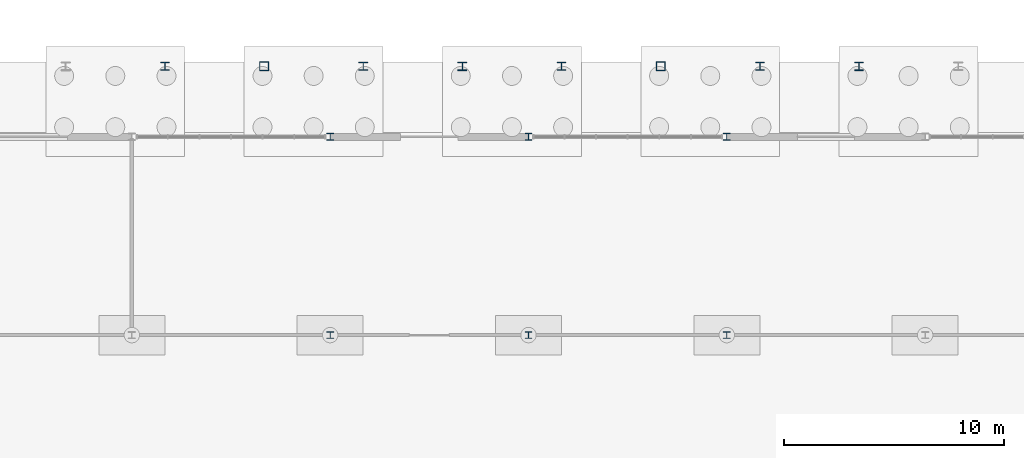
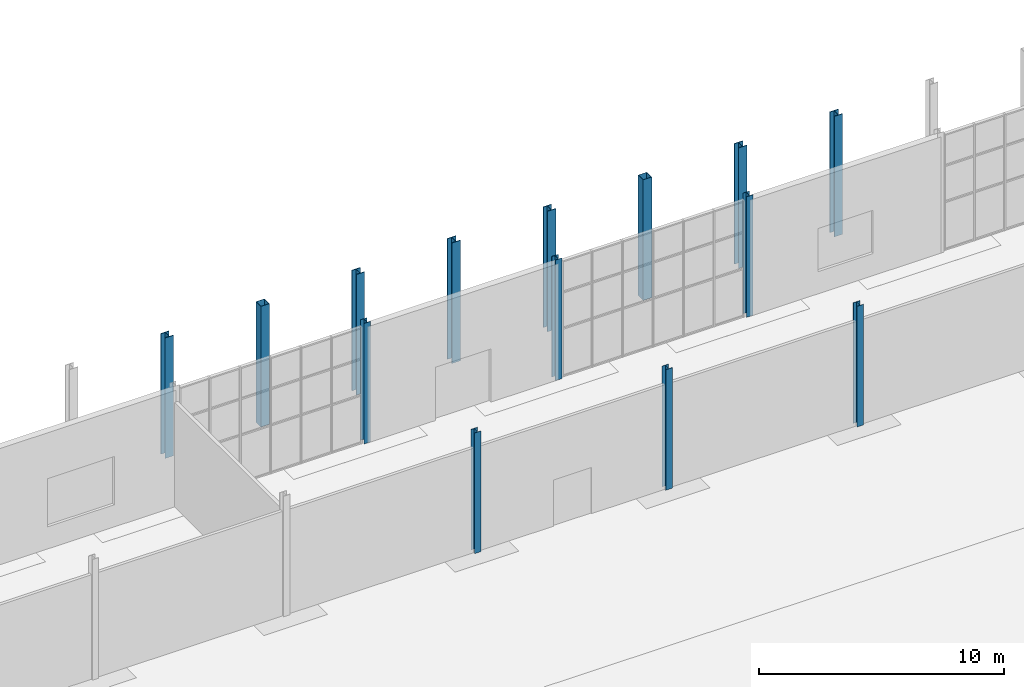
# One storey, part 24 of 131: 14 columns.
"""IFC4 building model written with IfcOpenShell, lengths in metres."""

from ifc_helpers import new_model, si_unit, direction, frame, origin, origin_2d, place, context, subcontext, project, spatial, hollow_rectangle, i_section, extrude, material, material_profile, profile_set, type_object, element, save


model = new_model("IFC4")

# Units and contexts
model_context = context("Model", 3, precision=1e-05, world=origin(), true_north=direction((0.0, 1.0)))
body_context = subcontext(model_context, "Body", "Model", "MODEL_VIEW")
ifc_project = project(units=[si_unit("LENGTHUNIT", "METRE"), si_unit("AREAUNIT", "SQUARE_METRE"), si_unit("VOLUMEUNIT", "CUBIC_METRE"), si_unit("PLANEANGLEUNIT", "RADIAN"), si_unit("MASSUNIT", "GRAM", prefix="KILO")], contexts=[model_context])

# Site, building, storey
site_placement = place(None, origin())
site = spatial("IfcSite", under=ifc_project, at=site_placement, CompositionType="ELEMENT")
building_placement = place(site_placement, origin())
building = spatial("IfcBuilding", under=site, at=building_placement, Name="Cazmaro Siding Exhibition Halls", CompositionType="ELEMENT")
storey_placement = place(building_placement, origin())
storey = spatial("IfcBuildingStorey", under=building, at=storey_placement, Name="L00", CompositionType="ELEMENT", Elevation=0.0)

# Columns
ifc_material_1 = material(Name="Steel ASTM A992 Grade 50", Category="steel")
ifc_material_profile_1 = material_profile(ifc_material_1, i_section(OverallWidth=0.39208984375, OverallDepth=0.3759765625, WebThickness=0.01708984375, FlangeThickness=0.028076171875, at=origin_2d()), Name="W14X145")
ifc_profile_set_1 = profile_set([ifc_material_profile_1], Name="Steel ASTM A992 Grade 50")
column_type_1 = type_object("IfcColumnType", Name="C-03", PredefinedType="COLUMN", material=ifc_profile_set_1)
for number, where, z_axis, x_axis, name in (
    (1, (94.5, 124.0, 0.0), (0.0, 0.0, 1.0), (1.0, 0.0, 0.0), "Column C-03 COL-0070"),
    (2, (103.5, 124.0, 0.0), (0.0, 0.0, 1.0), (1.0, 0.0, 0.0), "Column C-03 COL-0082"),
    (3, (112.5, 124.0, 0.0), (0.0, 0.0, 1.0), (1.0, 0.0, 0.0), "Column C-03 COL-0094"),
    (4, (121.5, 124.0, 0.0), (0.0, 0.0, 1.0), (1.0, 0.0, 0.0), "Column C-03 COL-0106"),
):
    element("IfcColumn", number, at=place(storey_placement, frame(where, z_axis=z_axis, x_axis=x_axis)), inside=storey, type_object=column_type_1, Name=name, PredefinedType="COLUMN", context=body_context, shape_type="SweptSolid", body=[
        extrude(i_section(OverallWidth=0.39208984375, OverallDepth=0.3759765625, WebThickness=0.01708984375, FlangeThickness=0.028076171875, at=origin_2d()), origin(), (0.0, 0.0, 1.0), 6.0),
    ])
ifc_material_2 = material(Name="Steel ASTM A992 Grade 50", Category="steel")
ifc_material_profile_2 = material_profile(ifc_material_2, i_section(OverallWidth=0.304931640625, OverallDepth=0.306884765625, WebThickness=0.010009765625, FlangeThickness=0.014892578125, at=origin_2d()), Name="W12X65")
ifc_profile_set_2 = profile_set([ifc_material_profile_2], Name="Steel ASTM A992 Grade 50")
column_type_2 = type_object("IfcColumnType", Name="C-06", PredefinedType="COLUMN", material=ifc_profile_set_2)
for number, where, z_axis, x_axis, name in (
    (5, (102.0, 111.800048828125, 0.0), (0.0, 0.0, 1.0), (1.0, 0.0, 0.0), "Column C-06 COL-0320"),
    (6, (102.0, 120.800048828125, 0.0), (0.0, 0.0, 1.0), (1.0, 0.0, 0.0), "Column C-06 COL-0322"),
    (7, (111.0, 111.800048828125, 0.0), (0.0, 0.0, 1.0), (1.0, 0.0, 0.0), "Column C-06 COL-0330"),
    (8, (111.0, 120.800048828125, 0.0), (0.0, 0.0, 1.0), (1.0, 0.0, 0.0), "Column C-06 COL-0332"),
    (9, (120.0, 111.800048828125, 0.0), (0.0, 0.0, 1.0), (1.0, 0.0, 0.0), "Column C-06 COL-0340"),
    (10, (120.0, 120.800048828125, 0.0), (0.0, 0.0, 1.0), (1.0, 0.0, 0.0), "Column C-06 COL-0342"),
):
    element("IfcColumn", number, at=place(storey_placement, frame(where, z_axis=z_axis, x_axis=x_axis)), inside=storey, type_object=column_type_2, Name=name, PredefinedType="COLUMN", context=body_context, shape_type="SweptSolid", body=[
        extrude(i_section(OverallWidth=0.304931640625, OverallDepth=0.306884765625, WebThickness=0.010009765625, FlangeThickness=0.014892578125, at=origin_2d()), origin(), (0.0, 0.0, 1.0), 6.0),
    ])
ifc_material_3 = material(Name="Steel ASTM A992 Grade 50", Category="steel")
ifc_material_profile_3 = material_profile(ifc_material_3, i_section(OverallWidth=0.39892578125, OverallDepth=0.386962890625, WebThickness=0.02099609375, FlangeThickness=0.032958984375, at=origin_2d()), Name="W14X176")
ifc_profile_set_3 = profile_set([ifc_material_profile_3], Name="Steel ASTM A992 Grade 50")
column_type_3 = type_object("IfcColumnType", Name="C-11", PredefinedType="COLUMN", material=ifc_profile_set_3)
for number, where, z_axis, x_axis, name in (
    (11, (108.0, 124.0, 0.0), (0.0, 0.0, 1.0), (1.0, 0.0, 0.0), "Column C-11 COL-0088"),
    (12, (126.0, 124.0, 0.0), (0.0, 0.0, 1.0), (1.0, 0.0, 0.0), "Column C-11 COL-0112"),
):
    element("IfcColumn", number, at=place(storey_placement, frame(where, z_axis=z_axis, x_axis=x_axis)), inside=storey, type_object=column_type_3, Name=name, PredefinedType="COLUMN", context=body_context, shape_type="SweptSolid", body=[
        extrude(i_section(OverallWidth=0.39892578125, OverallDepth=0.386962890625, WebThickness=0.02099609375, FlangeThickness=0.032958984375, at=origin_2d()), origin(), (0.0, 0.0, 1.0), 6.0),
    ])
ifc_material_4 = material(Name="Steel ASTM A500 Grade C", Category="steel")
ifc_material_profile_4 = material_profile(ifc_material_4, hollow_rectangle(XDim=0.406005859375, YDim=0.406005859375, WallThickness=0.014892578125, at=origin_2d()), Name="HSS16X16X5/8")
ifc_profile_set_4 = profile_set([ifc_material_profile_4], Name="Steel ASTM A500 Grade C")
column_type_4 = type_object("IfcColumnType", Name="PL-01", PredefinedType="PILASTER", material=ifc_profile_set_4)
for number, where, z_axis, x_axis, name in (
    (13, (99.0, 124.0, 0.0), (0.0, 0.0, 1.0), (1.0, 0.0, 0.0), "Column PL-01 COL-0076"),
    (14, (117.0, 124.0, 0.0), (0.0, 0.0, 1.0), (1.0, 0.0, 0.0), "Column PL-01 COL-0100"),
):
    element("IfcColumn", number, at=place(storey_placement, frame(where, z_axis=z_axis, x_axis=x_axis)), inside=storey, type_object=column_type_4, Name=name, PredefinedType="PILASTER", context=body_context, shape_type="SweptSolid", body=[
        extrude(hollow_rectangle(XDim=0.406005859375, YDim=0.406005859375, WallThickness=0.014892578125, at=origin_2d()), origin(), (0.0, 0.0, 1.0), 6.0),
    ])

save(model, "model.ifc")
